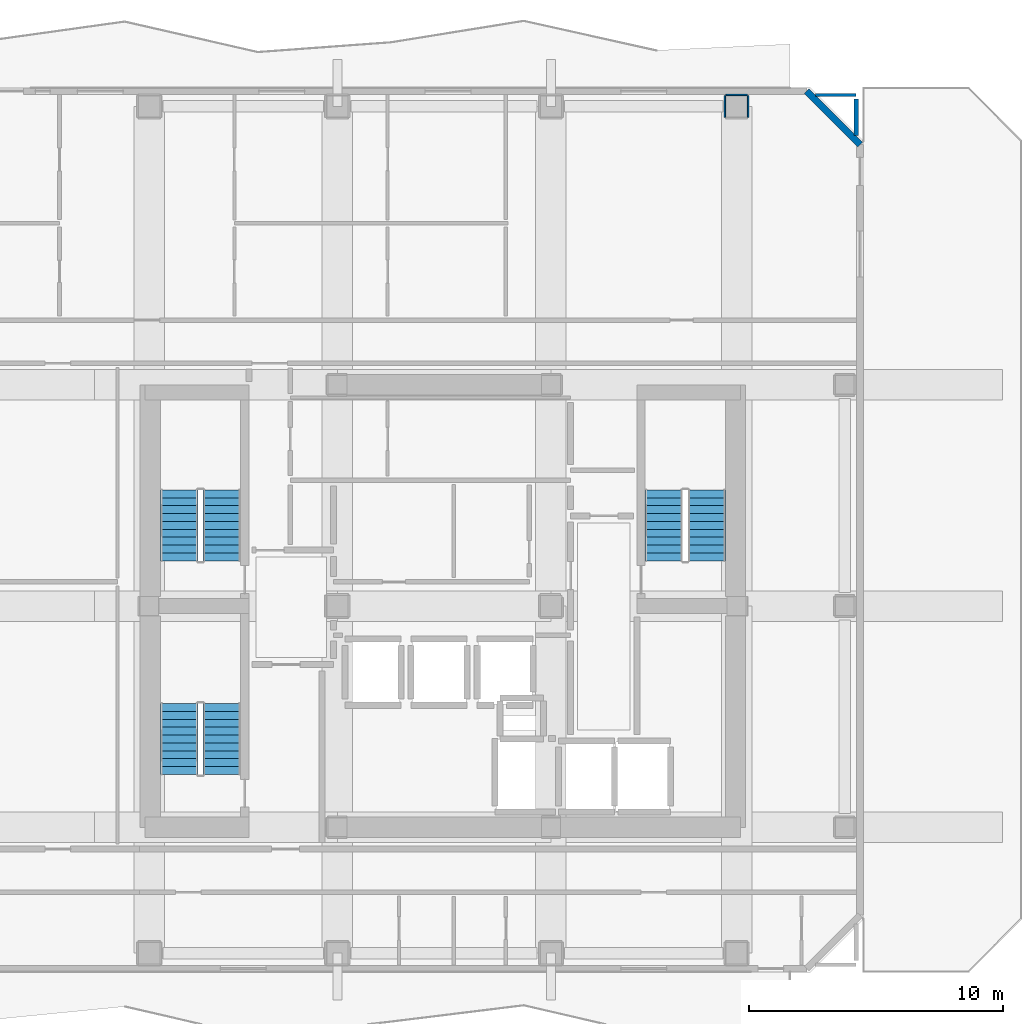
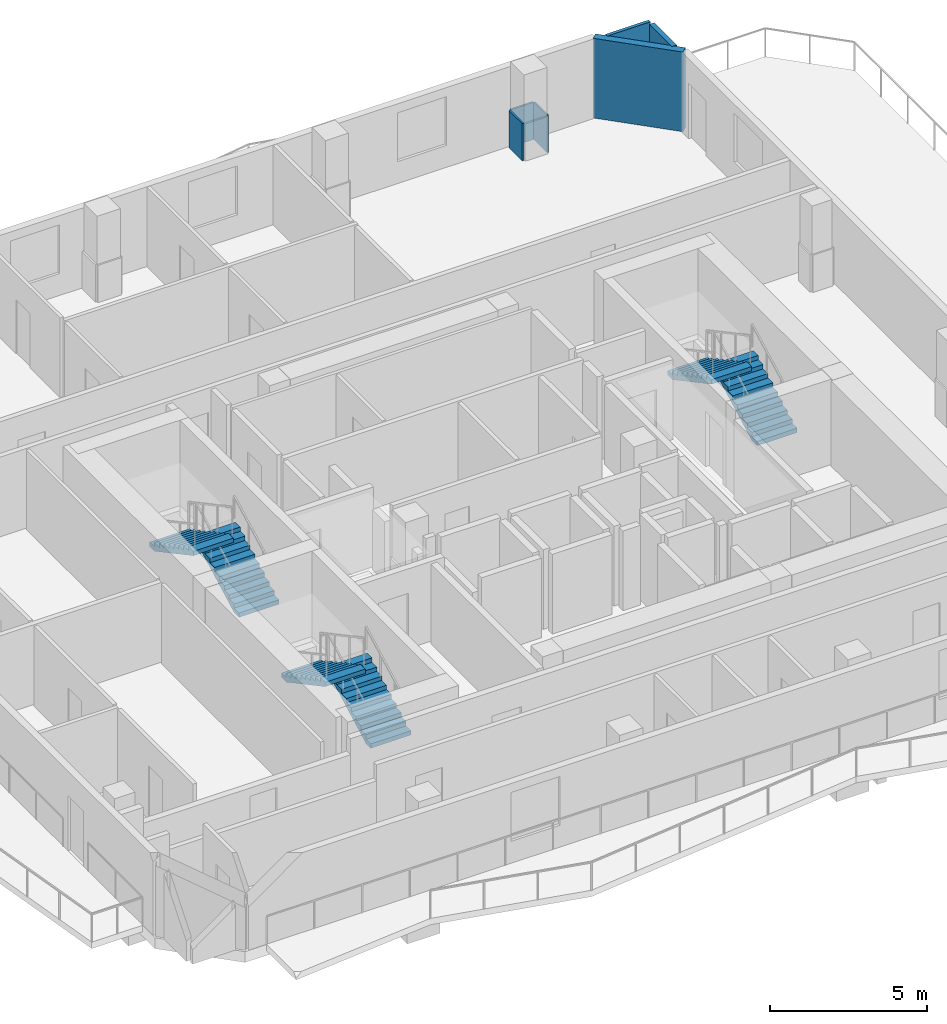
# One storey, part 6 of 10: 6 stair flights, 6 walls, 3 elements without a shape of their own.
"""IFC4 building model written with IfcOpenShell, lengths in metres."""

import ifcopenshell
import ifcopenshell.guid

model = None  # the IFC model being written
_history = None  # IfcOwnerHistory: only IFC2X3 demands one
_inside = {}  # id of a spatial element -> (the spatial element, [elements in it])
_under = {}  # id of a project, library or spatial element -> (it, [spatial elements below it])
_declared = {}  # id of a project -> (the project, [libraries it declares])
_typed = {}  # id of a type object -> (the type object, [elements of that type])
_made_of = {}  # id of a material, layer set ... -> (it, [elements and type objects made of it])


def new_model(schema):
    """Start an empty IFC model of exactly this schema.

    Asked for "IFC4X3", IfcOpenShell would pick the latest addendum, in which some entities
    have other attributes; the version numbers below select the first issue.
    IFC2X3 requires an IfcOwnerHistory on every rooted entity: one is made here for all.
    """
    global model, _history
    if schema == "IFC4X3":
        model = ifcopenshell.file(schema_version=(4, 3, 0, 0))
    else:
        model = ifcopenshell.file(schema=schema)
    _inside.clear()
    _under.clear()
    _declared.clear()
    _typed.clear()
    _made_of.clear()
    _history = None
    if model.schema == "IFC2X3":
        org = make("IfcOrganization", Name="unknown")
        user = make(
            "IfcPersonAndOrganization",
            ThePerson=make("IfcPerson", FamilyName="unknown"),
            TheOrganization=org,
        )
        app = make(
            "IfcApplication",
            ApplicationDeveloper=org,
            Version="unknown",
            ApplicationFullName="unknown",
            ApplicationIdentifier="unknown",
        )
        _history = make(
            "IfcOwnerHistory",
            OwningUser=user,
            OwningApplication=app,
            ChangeAction="ADDED",
            CreationDate=0,
        )
    return model


def make(cls, **values):
    """One entity of the class cls with the attributes given. An attribute that is None is left unset."""
    return model.create_entity(
        cls, **{name: value for name, value in values.items() if value is not None}
    )


def rooted(cls, **values):
    """An entity with a GlobalId (a new one), such as an element, a storey or a relation."""
    return make(cls, GlobalId=ifcopenshell.guid.new(), OwnerHistory=_history, **values)


def si_unit(unit_type, name, prefix=None):
    """IfcSIUnit, for example si_unit("LENGTHUNIT", "METRE", prefix="MILLI")."""
    return make("IfcSIUnit", UnitType=unit_type, Prefix=prefix, Name=name)


def assignment(units):
    """IfcUnitAssignment: the units of a project."""
    return None if units is None else make("IfcUnitAssignment", Units=units)


def point(xyz):
    """IfcCartesianPoint."""
    return None if xyz is None else make("IfcCartesianPoint", Coordinates=xyz)


def direction(xyz):
    """IfcDirection."""
    return None if xyz is None else make("IfcDirection", DirectionRatios=xyz)


def frame(location, z_axis=None, x_axis=None):
    """IfcAxis2Placement3D, a coordinate frame: its origin and axes. An axis left out is left unset."""
    return make(
        "IfcAxis2Placement3D",
        Location=point(location),
        Axis=direction(z_axis),
        RefDirection=direction(x_axis),
    )


def frame_2d(location, x_axis=None):
    """IfcAxis2Placement2D, a coordinate frame in the plane: its origin and x axis."""
    return make(
        "IfcAxis2Placement2D", Location=point(location), RefDirection=direction(x_axis)
    )


def origin():
    """The frame at (0, 0, 0) with its axes left unset."""
    return frame((0.0, 0.0, 0.0))


def place(relative_to, where):
    """IfcLocalPlacement: puts the frame where relative to a parent placement (None: the world)."""
    return make(
        "IfcLocalPlacement", PlacementRelTo=relative_to, RelativePlacement=where
    )


def context(
    kind, dimensions, precision=None, world=None, true_north=None, identifier=None
):
    """IfcGeometricRepresentationContext, for example the 3D "Model" context."""
    return make(
        "IfcGeometricRepresentationContext",
        ContextIdentifier=identifier,
        ContextType=kind,
        CoordinateSpaceDimension=dimensions,
        Precision=precision,
        WorldCoordinateSystem=world,
        TrueNorth=true_north,
    )


def subcontext(parent, identifier, kind, view, scale=None):
    """IfcGeometricRepresentationSubContext, for example "Body" below "Model"."""
    return make(
        "IfcGeometricRepresentationSubContext",
        ContextIdentifier=identifier,
        ContextType=kind,
        ParentContext=parent,
        TargetScale=scale,
        TargetView=view,
    )


def project(units=None, contexts=None):
    """IfcProject with its units and contexts."""
    return rooted(
        "IfcProject",
        Name="project",
        RepresentationContexts=contexts,
        UnitsInContext=assignment(units),
    )


def spatial(cls, under=None, at=None, **own):
    """A site, building, storey or space (cls), placed at a placement, below another one or the project."""
    s = rooted(cls, ObjectPlacement=at, **own)
    if under is not None:
        _under.setdefault(under.id(), (under, []))[1].append(s)
    return s


def polyline(points):
    """IfcPolyline through the points."""
    return make("IfcPolyline", Points=[point(p) for p in points])


def profile(cls, at=None, kind="AREA", **sizes):
    """A parametric profile (cls). Its sizes go by their IFC names, for example OverallWidth=200.0."""
    return make(cls, ProfileType=kind, Position=at, **sizes)


def rectangle(**sizes):
    """IfcRectangleProfileDef."""
    return profile("IfcRectangleProfileDef", **sizes)


def outline(outer, holes=None, kind="AREA"):
    """IfcArbitraryClosedProfileDef: a profile drawn as a closed curve; with holes, ...WithVoids."""
    if holes is None:
        return make("IfcArbitraryClosedProfileDef", ProfileType=kind, OuterCurve=outer)
    return make(
        "IfcArbitraryProfileDefWithVoids",
        ProfileType=kind,
        OuterCurve=outer,
        InnerCurves=holes,
    )


def extrude(swept, where, along, depth):
    """IfcExtrudedAreaSolid: the profile swept, set in the frame where, extruded along a direction by depth."""
    return make(
        "IfcExtrudedAreaSolid",
        SweptArea=swept,
        Position=where,
        ExtrudedDirection=direction(along),
        Depth=depth,
    )


def shape(context_of_items, identifier, shape_type, items):
    """IfcShapeRepresentation: the items that make up one representation, for example the "Body"."""
    return make(
        "IfcShapeRepresentation",
        ContextOfItems=context_of_items,
        RepresentationIdentifier=identifier,
        RepresentationType=shape_type,
        Items=items,
    )


def material(Name=None, Category=None):
    """IfcMaterial."""
    return make("IfcMaterial", Name=Name, Category=Category)


def layer(
    of_material, thickness, ventilated=None, Name=None, Category=None, Priority=None
):
    """IfcMaterialLayer: one layer of a wall or slab, of a material (None: an air gap)."""
    return make(
        "IfcMaterialLayer",
        Material=of_material,
        LayerThickness=thickness,
        IsVentilated=ventilated,
        Name=Name,
        Category=Category,
        Priority=Priority,
    )


def layer_set(layers, Name=None):
    """IfcMaterialLayerSet."""
    return make("IfcMaterialLayerSet", MaterialLayers=layers, LayerSetName=Name)


def made_of(thing, what):
    """Note that an element or type object is made of a material, layer set ...; save() writes the relation."""
    if what is not None:
        _made_of.setdefault(what.id(), (what, []))[1].append(thing)
    return thing


def type_object(cls, material=None, **own):
    """A type object (cls), such as IfcWallType, which elements share."""
    return made_of(rooted(cls, **own), material)


def element(
    cls,
    number,
    at=None,
    inside=None,
    cuts=None,
    type_object=None,
    material=None,
    context=None,
    identifier="Body",
    shape_type=None,
    held_by="IfcProductDefinitionShape",
    body=None,
    shapes=None,
    **own,
):
    """One element of the class cls, such as IfcWall. Its Tag is "e" and its number.

    at: its placement. inside: the storey or other place that contains it. cuts: it is an
    opening in that element (IfcRelVoidsElement). A single representation is given by context,
    identifier, shape_type and body (its items); several are given by shapes. held_by: the class
    of the entity that holds the representations. save() writes the other relations.
    """
    e = rooted(cls, Tag="e%d" % number, ObjectPlacement=at, **own)
    if body is not None:
        shapes = [shape(context, identifier, shape_type, body)]
    if shapes is not None:
        e.Representation = make(held_by, Representations=shapes)
    if inside is not None:
        _inside.setdefault(inside.id(), (inside, []))[1].append(e)
    if cuts is not None:
        rooted(
            "IfcRelVoidsElement", RelatingBuildingElement=cuts, RelatedOpeningElement=e
        )
    if type_object is not None:
        _typed.setdefault(type_object.id(), (type_object, []))[1].append(e)
    return made_of(e, material)


def aggregate(whole, parts):
    """IfcRelAggregates: a whole, such as a stair, and the parts it consists of."""
    return rooted("IfcRelAggregates", RelatingObject=whole, RelatedObjects=parts)


def save(model, path):
    """Write the relations noted so far, then the file.

    IfcRelAggregates (storeys below a building ...), IfcRelContainedInSpatialStructure (elements
    in a storey), IfcRelDefinesByType, IfcRelAssociatesMaterial and IfcRelDeclares: one each for
    every whole, place, type object, material and project.
    """
    for whole, parts in _under.values():
        aggregate(whole, parts)
    for where, things in _inside.values():
        rooted(
            "IfcRelContainedInSpatialStructure",
            RelatedElements=things,
            RelatingStructure=where,
        )
    for kind, things in _typed.values():
        rooted("IfcRelDefinesByType", RelatedObjects=things, RelatingType=kind)
    for what, things in _made_of.values():
        rooted("IfcRelAssociatesMaterial", RelatedObjects=things, RelatingMaterial=what)
    for by, libraries in _declared.values():
        rooted("IfcRelDeclares", RelatingContext=by, RelatedDefinitions=libraries)
    model.write(path)


model = new_model("IFC4")

# Units and contexts
model_context = context("Model", 3, precision=1e-05, world=origin(), true_north=direction((0.0, 1.0)))
body_context = subcontext(model_context, "Body", "Model", "MODEL_VIEW")
ifc_project = project(units=[si_unit("LENGTHUNIT", "METRE"), si_unit("AREAUNIT", "SQUARE_METRE"), si_unit("VOLUMEUNIT", "CUBIC_METRE"), si_unit("PLANEANGLEUNIT", "RADIAN"), si_unit("MASSUNIT", "GRAM", prefix="KILO")], contexts=[model_context])

# Site, building, storey
site_placement = place(None, origin())
site = spatial("IfcSite", under=ifc_project, at=site_placement, CompositionType="ELEMENT")
building_placement = place(site_placement, origin())
building = spatial("IfcBuilding", under=site, at=building_placement, Name="Solanera Arch Residences", CompositionType="ELEMENT")
storey_placement = place(building_placement, frame((0.0, 0.0, 251.199951171875)))
storey = spatial("IfcBuildingStorey", under=building, at=storey_placement, Name="L73", CompositionType="ELEMENT", Elevation=251.199951171875)

# Walls
ifc_material_1 = material(Name="Fire-Rated Gypsum Stud Partition", Category="gypsum")
ifc_layer_1 = layer(ifc_material_1, 0.06005859375)
ifc_layer_set_1 = layer_set([ifc_layer_1], Name="Fire-Rated Gypsum Stud Partition")
wall_type_1 = type_object("IfcWallType", Name="Column Acoustic Furring Wall 60", PredefinedType="PARTITIONING", material=ifc_layer_set_1)
wall_1_placement = place(storey_placement, frame((36.074951171875, 50.806884765625, 0.0), z_axis=(0.0, 0.0, 1.0), x_axis=(1.0, 0.0, 0.0)))
element("IfcWall", 1, at=wall_1_placement, inside=storey, type_object=wall_type_1, Name="L73 Column Furring 16N", PredefinedType="PARTITIONING", context=body_context, shape_type="SweptSolid", body=[
    extrude(rectangle(XDim=0.85009765625, YDim=0.06005859375, at=frame_2d((0.425048828125, 0.0))), origin(), (0.0, 0.0, 1.0), 1.449951171875),
])
for number, where, z_axis, x_axis, name in (
    (2, (36.04296875, 49.925048828125, 0.0), (0.0, 0.0, 1.0), (0.0, 1.0, 0.0), "L73 Column Furring 16W"),
    (3, (36.95703125, 49.925048828125, 0.0), (0.0, 0.0, 1.0), (0.0, 1.0, 0.0), "L73 Column Furring 16E"),
):
    element("IfcWall", number, at=place(storey_placement, frame(where, z_axis=z_axis, x_axis=x_axis)), inside=storey, type_object=wall_type_1, Name=name, PredefinedType="PARTITIONING", context=body_context, shape_type="SweptSolid", body=[
        extrude(rectangle(XDim=0.849853515625, YDim=0.06005859375, at=frame_2d((0.4248046875, 0.0))), origin(), (0.0, 0.0, 1.0), 1.449951171875),
    ])
ifc_material_2 = material(Name="Autoclaved Aerated Concrete Blockwork", Category="masonry")
ifc_layer_2 = layer(ifc_material_2, 0.179931640625)
ifc_layer_set_2 = layer_set([ifc_layer_2], Name="Autoclaved Aerated Concrete Blockwork")
wall_type_2 = type_object("IfcWallType", Name="Corridor Fire Partition 180", PredefinedType="PARTITIONING", material=ifc_layer_set_2)
wall_2_placement = place(storey_placement, frame((41.199951171875, 49.2109375, 0.0), z_axis=(0.0, 0.0, 1.0), x_axis=(0.0, 1.0, 0.0)))
element("IfcWall", 4, at=wall_2_placement, inside=storey, type_object=wall_type_2, Name="L73 Interior Partition V10", PredefinedType="PARTITIONING", context=body_context, shape_type="SweptSolid", body=[
    extrude(rectangle(XDim=1.43115234375, YDim=0.179931640625, at=frame_2d((0.715576171875, 0.0))), origin(), (0.0, 0.0, 1.0), 3.10009765625),
])
ifc_material_3 = material(Name="Precast Concrete C35/45", Category="concrete")
ifc_layer_3 = layer(ifc_material_3, 0.260009765625)
ifc_layer_set_3 = layer_set([ifc_layer_3], Name="Precast Concrete C35/45")
wall_type_3 = type_object("IfcWallType", Name="Exterior Wall Precast Masonry-Frame 260", PredefinedType="STANDARD", material=ifc_layer_set_3)
wall_3_placement = place(storey_placement, frame((39.2548828125, 50.955078125, 0.0), z_axis=(0.0, 0.0, 1.0), x_axis=(0.707106781187, -0.707106781187, 0.0)))
element("IfcWall", 5, at=wall_3_placement, inside=storey, type_object=wall_type_3, Name="L73 Tower Exterior Precast Masonry-Frame Wall CH3", PredefinedType="STANDARD", context=body_context, shape_type="SweptSolid", body=[
    extrude(rectangle(XDim=2.969970703125, YDim=0.260009765625, at=frame_2d((1.48486328125, 0.0))), origin(), (0.0, 0.0, 1.0), 3.10009765625),
])
ifc_material_4 = material(Name="Fire-Rated Gypsum Stud Partition", Category="gypsum")
ifc_layer_4 = layer(ifc_material_4, 0.1201171875)
ifc_layer_set_4 = layer_set([ifc_layer_4], Name="Fire-Rated Gypsum Stud Partition")
wall_type_4 = type_object("IfcWallType", Name="Unit Drywall Partition 120", PredefinedType="PARTITIONING", material=ifc_layer_set_4)
wall_4_placement = place(storey_placement, frame((39.611083984375, 50.800048828125, 0.0), z_axis=(0.0, 0.0, 1.0), x_axis=(1.0, 0.0, 0.0)))
element("IfcWall", 6, at=wall_4_placement, inside=storey, type_object=wall_type_4, Name="L73 Interior Partition H20 2", PredefinedType="PARTITIONING", context=body_context, shape_type="SweptSolid", body=[
    extrude(rectangle(XDim=1.5888671875, YDim=0.1201171875, at=frame_2d((0.79443359375, 0.0))), origin(), (0.0, 0.0, 1.0), 3.10009765625),
])

# Stair, stair flights
ifc_material_5 = material(Name="Concrete C40/50 (f'c = 45 MPa)", Category="concrete")
stair_type = type_object("IfcStairType", Name="Tower Dogleg Exit Stair 1480", PredefinedType="HALF_TURN_STAIR", material=ifc_material_5)
stair_1_placement = place(storey_placement, origin())
stair_1 = element("IfcStair", 7, at=stair_1_placement, inside=storey, type_object=stair_type, Name="L73 Tower Core Exit Stair 1", PredefinedType="HALF_TURN_STAIR")
ifc_material_6 = material(Name="Concrete C40/50 (f'c = 45 MPa)", Category="concrete")
stair_flight_type = type_object("IfcStairFlightType", Name="Tower Precast Stair Flight 1480", PredefinedType="STRAIGHT", material=ifc_material_6)
stair_flight_1_placement = place(storey_placement, frame((16.260009765625, 32.47998046875, 0.0), z_axis=(0.0, 0.0, 1.0), x_axis=(0.0, 1.0, 0.0)))
stair_flight_1 = element("IfcStairFlight", 8, at=stair_flight_1_placement, type_object=stair_flight_type, Name="ST-T1 flight 1", NumberOfRisers=10, NumberOfTreads=9, PredefinedType="STRAIGHT", RiserHeight=0.166, TreadLength=0.31, context=body_context, shape_type="SweptSolid", body=[
    extrude(outline(polyline([(0.0, 0.0), (0.0, 0.166015625), (0.31005859375, 0.166015625), (0.31005859375, 0.33203125), (0.6201171875, 0.33203125), (0.6201171875, 0.498046875), (0.929931640625, 0.498046875), (0.929931640625, 0.6640625), (1.239990234375, 0.6640625), (1.239990234375, 0.830078125), (1.550048828125, 0.830078125), (1.550048828125, 0.99609375), (1.860107421875, 0.99609375), (1.860107421875, 1.162109375), (2.169921875, 1.162109375), (2.169921875, 1.327880859375), (2.47998046875, 1.327880859375), (2.47998046875, 1.493896484375), (2.7900390625, 1.493896484375), (2.7900390625, 1.659912109375), (2.7900390625, 1.323974609375), (0.317626953125, 0.0), (0.0, 0.0)])), frame((0.0, 0.739990234375, 0.0), z_axis=(0.0, -1.0, 0.0), x_axis=(1.0, 0.0, 0.0)), (0.0, 0.0, 1.0), 1.47998046875),
])
stair_flight_2_placement = place(storey_placement, frame((14.580078125, 35.27001953125, 1.66015625), z_axis=(0.0, 0.0, 1.0), x_axis=(0.0, -1.0, 0.0)))
stair_flight_2 = element("IfcStairFlight", 9, at=stair_flight_2_placement, type_object=stair_flight_type, Name="ST-T1 flight 2", NumberOfRisers=10, NumberOfTreads=9, PredefinedType="STRAIGHT", RiserHeight=0.166, TreadLength=0.31, context=body_context, shape_type="SweptSolid", body=[
    extrude(outline(polyline([(0.0, 0.0), (0.0, 0.166015625), (0.31005859375, 0.166015625), (0.31005859375, 0.33203125), (0.6201171875, 0.33203125), (0.6201171875, 0.498046875), (0.929931640625, 0.498046875), (0.929931640625, 0.6640625), (1.239990234375, 0.6640625), (1.239990234375, 0.830078125), (1.550048828125, 0.830078125), (1.550048828125, 0.99609375), (1.860107421875, 0.99609375), (1.860107421875, 1.162109375), (2.169921875, 1.162109375), (2.169921875, 1.327880859375), (2.47998046875, 1.327880859375), (2.47998046875, 1.493896484375), (2.7900390625, 1.493896484375), (2.7900390625, 1.659912109375), (2.7900390625, 1.323974609375), (0.317626953125, 0.0), (0.0, 0.0)])), frame((0.0, 0.739990234375, 0.0), z_axis=(0.0, -1.0, 0.0), x_axis=(1.0, 0.0, 0.0)), (0.0, 0.0, 1.0), 1.47998046875),
])
aggregate(stair_1, [stair_flight_1, stair_flight_2])

stair_2_placement = place(storey_placement, origin())
stair_2 = element("IfcStair", 10, at=stair_2_placement, inside=storey, type_object=stair_type, Name="L73 Tower Core Exit Stair 2", PredefinedType="HALF_TURN_STAIR")
stair_flight_3_placement = place(storey_placement, frame((35.320068359375, 32.47998046875, 0.0), z_axis=(0.0, 0.0, 1.0), x_axis=(0.0, 1.0, 0.0)))
stair_flight_3 = element("IfcStairFlight", 11, at=stair_flight_3_placement, type_object=stair_flight_type, Name="ST-T2 flight 1", NumberOfRisers=10, NumberOfTreads=9, PredefinedType="STRAIGHT", RiserHeight=0.166, TreadLength=0.31, context=body_context, shape_type="SweptSolid", body=[
    extrude(outline(polyline([(0.0, 0.0), (0.0, 0.166015625), (0.31005859375, 0.166015625), (0.31005859375, 0.33203125), (0.6201171875, 0.33203125), (0.6201171875, 0.498046875), (0.929931640625, 0.498046875), (0.929931640625, 0.6640625), (1.239990234375, 0.6640625), (1.239990234375, 0.830078125), (1.550048828125, 0.830078125), (1.550048828125, 0.99609375), (1.860107421875, 0.99609375), (1.860107421875, 1.162109375), (2.169921875, 1.162109375), (2.169921875, 1.327880859375), (2.47998046875, 1.327880859375), (2.47998046875, 1.493896484375), (2.7900390625, 1.493896484375), (2.7900390625, 1.659912109375), (2.7900390625, 1.323974609375), (0.317626953125, 0.0), (0.0, 0.0)])), frame((0.0, 0.739990234375, 0.0), z_axis=(0.0, -1.0, 0.0), x_axis=(1.0, 0.0, 0.0)), (0.0, 0.0, 1.0), 1.47998046875),
])
stair_flight_4_placement = place(storey_placement, frame((33.639892578125, 35.27001953125, 1.66015625), z_axis=(0.0, 0.0, 1.0), x_axis=(0.0, -1.0, 0.0)))
stair_flight_4 = element("IfcStairFlight", 12, at=stair_flight_4_placement, type_object=stair_flight_type, Name="ST-T2 flight 2", NumberOfRisers=10, NumberOfTreads=9, PredefinedType="STRAIGHT", RiserHeight=0.166, TreadLength=0.31, context=body_context, shape_type="SweptSolid", body=[
    extrude(outline(polyline([(0.0, 0.0), (0.0, 0.166015625), (0.31005859375, 0.166015625), (0.31005859375, 0.33203125), (0.6201171875, 0.33203125), (0.6201171875, 0.498046875), (0.929931640625, 0.498046875), (0.929931640625, 0.6640625), (1.239990234375, 0.6640625), (1.239990234375, 0.830078125), (1.550048828125, 0.830078125), (1.550048828125, 0.99609375), (1.860107421875, 0.99609375), (1.860107421875, 1.162109375), (2.169921875, 1.162109375), (2.169921875, 1.327880859375), (2.47998046875, 1.327880859375), (2.47998046875, 1.493896484375), (2.7900390625, 1.493896484375), (2.7900390625, 1.659912109375), (2.7900390625, 1.323974609375), (0.317626953125, 0.0), (0.0, 0.0)])), frame((0.0, 0.739990234375, 0.0), z_axis=(0.0, -1.0, 0.0), x_axis=(1.0, 0.0, 0.0)), (0.0, 0.0, 1.0), 1.47998046875),
])
aggregate(stair_2, [stair_flight_3, stair_flight_4])

stair_3_placement = place(storey_placement, origin())
stair_3 = element("IfcStair", 13, at=stair_3_placement, inside=storey, type_object=stair_type, Name="L73 Tower Core Exit Stair 3", PredefinedType="HALF_TURN_STAIR")
stair_flight_5_placement = place(storey_placement, frame((16.260009765625, 24.080078125, 0.0), z_axis=(0.0, 0.0, 1.0), x_axis=(0.0, 1.0, 0.0)))
stair_flight_5 = element("IfcStairFlight", 14, at=stair_flight_5_placement, type_object=stair_flight_type, Name="ST-T3 flight 1", NumberOfRisers=10, NumberOfTreads=9, PredefinedType="STRAIGHT", RiserHeight=0.166, TreadLength=0.31, context=body_context, shape_type="SweptSolid", body=[
    extrude(outline(polyline([(0.0, 0.0), (0.0, 0.166015625), (0.31005859375, 0.166015625), (0.31005859375, 0.33203125), (0.6201171875, 0.33203125), (0.6201171875, 0.498046875), (0.929931640625, 0.498046875), (0.929931640625, 0.6640625), (1.239990234375, 0.6640625), (1.239990234375, 0.830078125), (1.550048828125, 0.830078125), (1.550048828125, 0.99609375), (1.860107421875, 0.99609375), (1.860107421875, 1.162109375), (2.169921875, 1.162109375), (2.169921875, 1.327880859375), (2.47998046875, 1.327880859375), (2.47998046875, 1.493896484375), (2.7900390625, 1.493896484375), (2.7900390625, 1.659912109375), (2.7900390625, 1.323974609375), (0.317626953125, 0.0), (0.0, 0.0)])), frame((0.0, 0.739990234375, 0.0), z_axis=(0.0, -1.0, 0.0), x_axis=(1.0, 0.0, 0.0)), (0.0, 0.0, 1.0), 1.47998046875),
])
stair_flight_6_placement = place(storey_placement, frame((14.580078125, 26.8701171875, 1.66015625), z_axis=(0.0, 0.0, 1.0), x_axis=(0.0, -1.0, 0.0)))
stair_flight_6 = element("IfcStairFlight", 15, at=stair_flight_6_placement, type_object=stair_flight_type, Name="ST-T3 flight 2", NumberOfRisers=10, NumberOfTreads=9, PredefinedType="STRAIGHT", RiserHeight=0.166, TreadLength=0.31, context=body_context, shape_type="SweptSolid", body=[
    extrude(outline(polyline([(0.0, 0.0), (0.0, 0.166015625), (0.31005859375, 0.166015625), (0.31005859375, 0.33203125), (0.6201171875, 0.33203125), (0.6201171875, 0.498046875), (0.929931640625, 0.498046875), (0.929931640625, 0.6640625), (1.239990234375, 0.6640625), (1.239990234375, 0.830078125), (1.550048828125, 0.830078125), (1.550048828125, 0.99609375), (1.860107421875, 0.99609375), (1.860107421875, 1.162109375), (2.169921875, 1.162109375), (2.169921875, 1.327880859375), (2.47998046875, 1.327880859375), (2.47998046875, 1.493896484375), (2.7900390625, 1.493896484375), (2.7900390625, 1.659912109375), (2.7900390625, 1.323974609375), (0.317626953125, 0.0), (0.0, 0.0)])), frame((0.0, 0.739990234375, 0.0), z_axis=(0.0, -1.0, 0.0), x_axis=(1.0, 0.0, 0.0)), (0.0, 0.0, 1.0), 1.47998046875),
])
aggregate(stair_3, [stair_flight_5, stair_flight_6])

save(model, "model.ifc")
